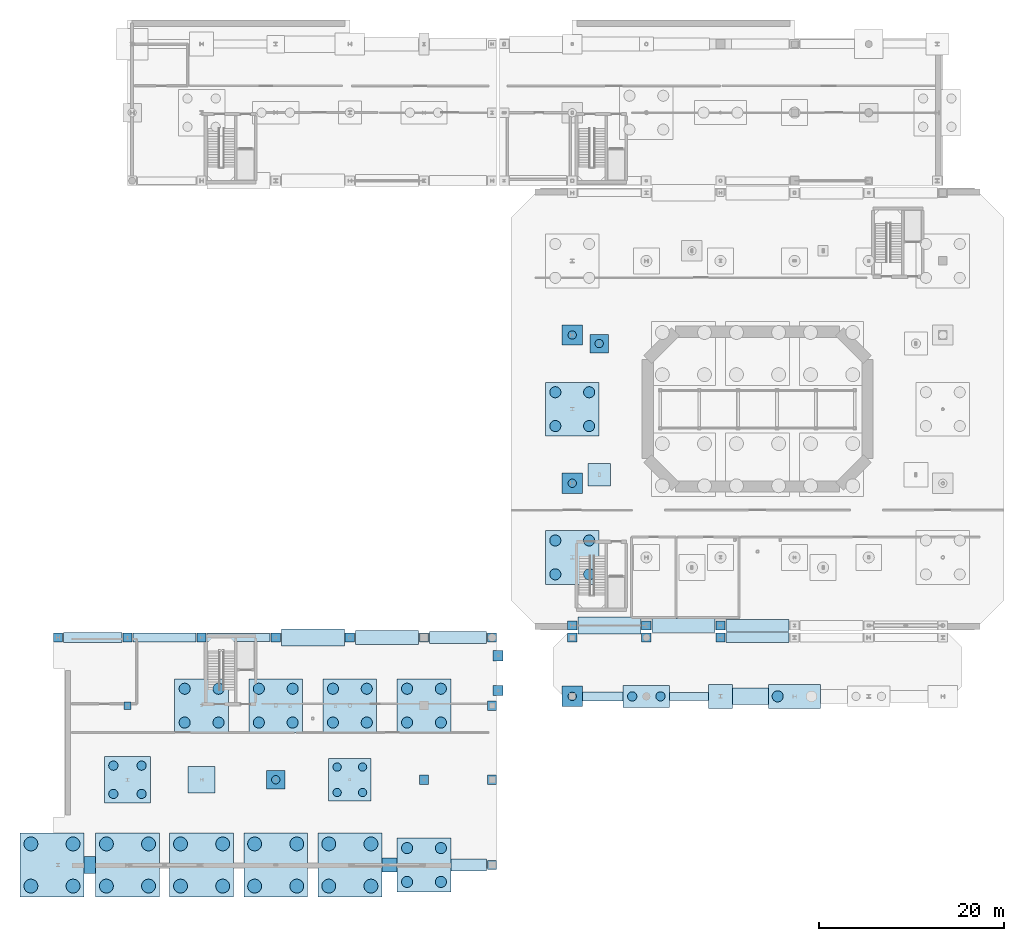
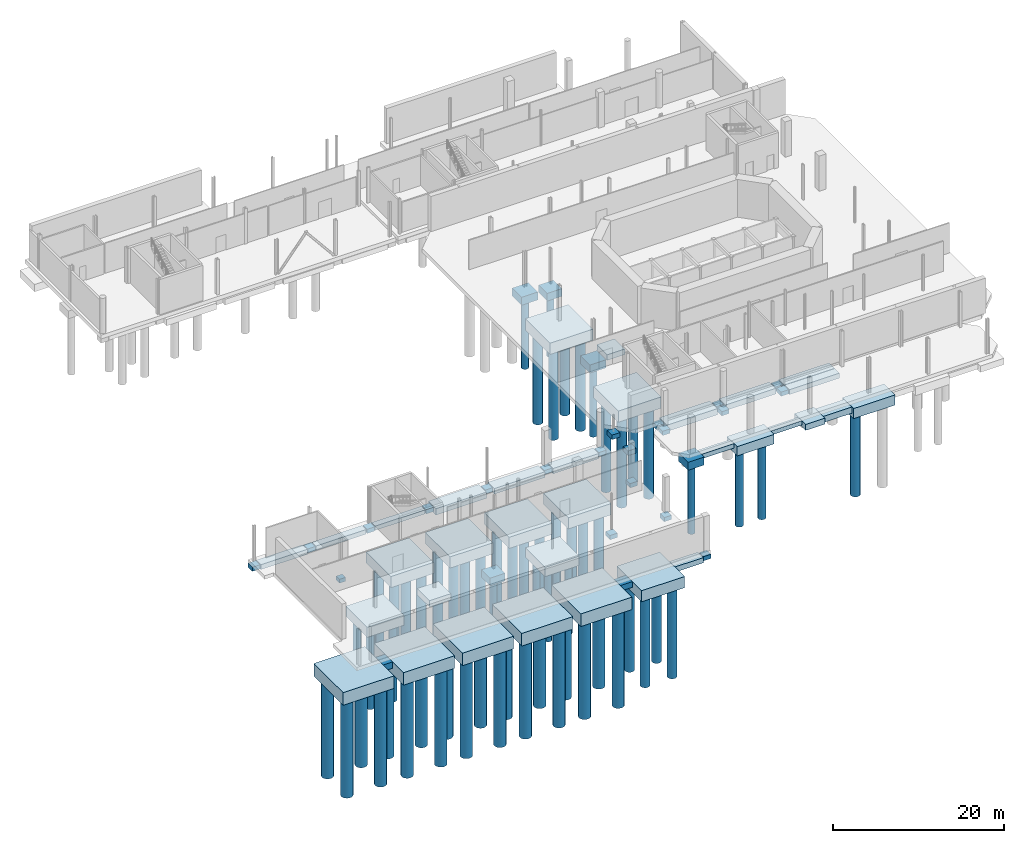
# One storey, part 1 of 33: 64 piles, 60 footings.
"""IFC4 building model written with IfcOpenShell, lengths in metres."""

from ifc_helpers import new_model, si_unit, direction, frame, origin, origin_2d, place, context, subcontext, project, spatial, rectangle, circle, extrude, material, material_profile, profile_set, type_object, element, save


model = new_model("IFC4")

# Units and contexts
model_context = context("Model", 3, precision=1e-05, world=origin(), true_north=direction((0.0, 1.0)))
body_context = subcontext(model_context, "Body", "Model", "MODEL_VIEW")
ifc_project = project(units=[si_unit("LENGTHUNIT", "METRE"), si_unit("AREAUNIT", "SQUARE_METRE"), si_unit("VOLUMEUNIT", "CUBIC_METRE"), si_unit("PLANEANGLEUNIT", "RADIAN"), si_unit("MASSUNIT", "GRAM", prefix="KILO")], contexts=[model_context])

# Site, building, storey
site_placement = place(None, origin())
site = spatial("IfcSite", under=ifc_project, at=site_placement, CompositionType="ELEMENT")
building_placement = place(site_placement, origin())
building = spatial("IfcBuilding", under=site, at=building_placement, Name="Brisemont Oceanarium", CompositionType="ELEMENT")
storey_placement = place(building_placement, frame((0.0, 0.0, -5.39990234375)))
storey = spatial("IfcBuildingStorey", under=building, at=storey_placement, Name="B01", CompositionType="ELEMENT", Elevation=-5.39990234375)

# Footings
ifc_material_1 = material(Name="Concrete C40/50", Category="concrete")
footing_type_1 = type_object("IfcFootingType", Name="FTG-PAD-1000", PredefinedType="PAD_FOOTING", material=ifc_material_1)
for number, where, z_axis, x_axis, name in (
    (1, (64.0, 32.64990234375, -1.150146484375), (0.0, 0.0, 1.0), (1.0, 0.0, 0.0), "PF-15 spread footing at (64.0,32.6)"),
    (2, (72.0, 32.64990234375, -1.150146484375), (0.0, 0.0, 1.0), (1.0, 0.0, 0.0), "PF-15 spread footing at (72.0,32.6)"),
    (3, (80.0, 32.64990234375, -1.150146484375), (0.0, 0.0, 1.0), (1.0, 0.0, 0.0), "PF-15 spread footing at (80.0,32.6)"),
    (4, (64.0, 31.35009765625, -1.10009765625), (0.0, 0.0, 1.0), (1.0, 0.0, 0.0), "PF-15 spread footing at (64.0,31.4)"),
    (5, (72.0, 31.35009765625, -1.10009765625), (0.0, 0.0, 1.0), (1.0, 0.0, 0.0), "PF-15 spread footing at (72.0,31.4)"),
    (6, (80.0, 31.35009765625, -1.10009765625), (0.0, 0.0, 1.0), (1.0, 0.0, 0.0), "PF-15 spread footing at (80.0,31.4)"),
    (7, (8.5, 31.35009765625, -1.10009765625), (0.0, 0.0, 1.0), (1.0, 0.0, 0.0), "PF-15 spread footing at (8.5,31.4)"),
    (8, (16.0, 31.35009765625, -1.10009765625), (0.0, 0.0, 1.0), (1.0, 0.0, 0.0), "PF-15 spread footing at (16.0,31.4)"),
    (9, (24.0, 31.35009765625, -1.10009765625), (0.0, 0.0, 1.0), (1.0, 0.0, 0.0), "PF-15 spread footing at (24.0,31.4)"),
    (10, (32.0, 31.35009765625, -1.10009765625), (0.0, 0.0, 1.0), (1.0, 0.0, 0.0), "PF-15 spread footing at (32.0,31.4)"),
    (11, (40.0, 31.35009765625, -1.10009765625), (0.0, 0.0, 1.0), (1.0, 0.0, 0.0), "PF-15 spread footing at (40.0,31.4)"),
    (12, (48.0, 16.0, -1.10009765625), (0.0, 0.0, 1.0), (1.0, 0.0, 0.0), "PF-15 spread footing at (48.0,16.0)"),
    (13, (48.0, 31.35009765625, -1.10009765625), (0.0, 0.0, 1.0), (1.0, 0.0, 0.0), "PF-15 spread footing at (48.0,31.4)"),
    (14, (55.35009765625, 6.800048828125, -1.10009765625), (0.0, 0.0, 1.0), (1.0, 0.0, 0.0), "PF-15 spread footing at (55.4,6.8)"),
    (15, (55.35009765625, 16.0, -1.10009765625), (0.0, 0.0, 1.0), (1.0, 0.0, 0.0), "PF-15 spread footing at (55.4,16.0)"),
    (16, (55.35009765625, 24.0, -1.10009765625), (0.0, 0.0, 1.0), (1.0, 0.0, 0.0), "PF-15 spread footing at (55.4,24.0)"),
    (17, (55.35009765625, 31.35009765625, -1.10009765625), (0.0, 0.0, 1.0), (1.0, 0.0, 0.0), "PF-15 spread footing at (55.4,31.4)"),
):
    element("IfcFooting", number, at=place(storey_placement, frame(where, z_axis=z_axis, x_axis=x_axis)), inside=storey, type_object=footing_type_1, Name=name, PredefinedType="PAD_FOOTING", context=body_context, shape_type="SweptSolid", body=[
        extrude(rectangle(XDim=1.0, YDim=1.0, at=origin_2d()), origin(), (0.0, 0.0, 1.0), 0.60009765625),
    ])
ifc_material_2 = material(Name="Concrete C40/50", Category="concrete")
footing_type_2 = type_object("IfcFootingType", Name="FTG-PAD-1100", PredefinedType="PAD_FOOTING", material=ifc_material_2)
for number, where, z_axis, x_axis, name in (
    (18, (56.0, 25.6201171875, 2.349853515625), (0.0, 0.0, 1.0), (1.0, 0.0, 0.0), "PF-14 spread footing at (56.0,25.6)"),
    (19, (56.0, 29.3798828125, 2.349853515625), (0.0, 0.0, 1.0), (1.0, 0.0, 0.0), "PF-14 spread footing at (56.0,29.4)"),
):
    element("IfcFooting", number, at=place(storey_placement, frame(where, z_axis=z_axis, x_axis=x_axis)), inside=storey, type_object=footing_type_2, Name=name, PredefinedType="PAD_FOOTING", context=body_context, shape_type="SweptSolid", body=[
        extrude(rectangle(XDim=1.10009765625, YDim=1.10009765625, at=origin_2d()), origin(), (0.0, 0.0, 1.0), 0.64990234375),
    ])
ifc_material_3 = material(Name="Concrete C40/50", Category="concrete")
footing_type_3 = type_object("IfcFootingType", Name="FTG-PAD-2400", PredefinedType="PAD_FOOTING", material=ifc_material_3)
footing_1_placement = place(storey_placement, frame((66.908203125, 48.92041015625, -1.35009765625), z_axis=(0.0, 0.0, 1.0), x_axis=(1.0, 0.0, 0.0)))
element("IfcFooting", 20, at=footing_1_placement, inside=storey, type_object=footing_type_3, Name="PF-05 spread footing at (66.9,48.9)", PredefinedType="PAD_FOOTING", context=body_context, shape_type="SweptSolid", body=[
    extrude(rectangle(XDim=2.39990234375, YDim=2.39990234375, at=origin_2d()), origin(), (0.0, 0.0, 1.0), 0.800048828125),
])
ifc_material_4 = material(Name="Concrete C40/50", Category="concrete")
footing_type_4 = type_object("IfcFootingType", Name="FTG-PAD-2600", PredefinedType="PAD_FOOTING", material=ifc_material_4)
footing_2_placement = place(storey_placement, frame((80.0, 25.0, -1.35009765625), z_axis=(0.0, 0.0, 1.0), x_axis=(1.0, 0.0, 0.0)))
element("IfcFooting", 21, at=footing_2_placement, inside=storey, type_object=footing_type_4, Name="PF-04 spread footing at (80.0,25.0)", PredefinedType="PAD_FOOTING", context=body_context, shape_type="SweptSolid", body=[
    extrude(rectangle(XDim=2.60009765625, YDim=2.60009765625, at=origin_2d()), origin(), (0.0, 0.0, 1.0), 0.85009765625),
])
ifc_material_5 = material(Name="Concrete C40/50", Category="concrete")
footing_type_5 = type_object("IfcFootingType", Name="FTG-PAD-2900", PredefinedType="PAD_FOOTING", material=ifc_material_5)
footing_3_placement = place(storey_placement, frame((24.0, 16.0, -1.400146484375), z_axis=(0.0, 0.0, 1.0), x_axis=(1.0, 0.0, 0.0)))
element("IfcFooting", 22, at=footing_3_placement, inside=storey, type_object=footing_type_5, Name="PF-03 spread footing at (24.0,16.0)", PredefinedType="PAD_FOOTING", context=body_context, shape_type="SweptSolid", body=[
    extrude(rectangle(XDim=2.89990234375, YDim=2.89990234375, at=origin_2d()), origin(), (0.0, 0.0, 1.0), 0.89990234375),
])
ifc_material_6 = material(Name="Concrete C40/50", Category="concrete")
footing_type_6 = type_object("IfcFootingType", Name="FTG-PAD-800", PredefinedType="PAD_FOOTING", material=ifc_material_6)
footing_4_placement = place(storey_placement, frame((16.0, 24.0, -1.05029296875), z_axis=(0.0, 0.0, 1.0), x_axis=(1.0, 0.0, 0.0)))
element("IfcFooting", 23, at=footing_4_placement, inside=storey, type_object=footing_type_6, Name="PF-16 spread footing at (16.0,24.0)", PredefinedType="PAD_FOOTING", context=body_context, shape_type="SweptSolid", body=[
    extrude(rectangle(XDim=0.800048828125, YDim=0.800048828125, at=origin_2d()), origin(), (0.0, 0.0, 1.0), 0.550048828125),
])
ifc_material_7 = material(Name="Concrete C40/50", Category="concrete")
footing_type_7 = type_object("IfcFootingType", Name="FTG-PC-1P-2000", PredefinedType="PILE_CAP", material=ifc_material_7)
for number, where, z_axis, x_axis, name in (
    (24, (32.0, 16.0, -1.60009765625), (0.0, 0.0, 1.0), (1.0, 0.0, 0.0), "PC-11 pile cap at (32.0,16.0)"),
    (25, (66.908203125, 63.07958984375, -1.650146484375), (0.0, 0.0, 1.0), (1.0, 0.0, 0.0), "PC-11 pile cap at (66.9,63.1)"),
):
    element("IfcFooting", number, at=place(storey_placement, frame(where, z_axis=z_axis, x_axis=x_axis)), inside=storey, type_object=footing_type_7, Name=name, PredefinedType="PILE_CAP", context=body_context, shape_type="SweptSolid", body=[
        extrude(rectangle(XDim=2.0, YDim=2.0, at=origin_2d()), origin(), (0.0, 0.0, 1.0), 1.10009765625),
    ])
ifc_material_8 = material(Name="Concrete C40/50", Category="concrete")
footing_type_8 = type_object("IfcFootingType", Name="FTG-PC-1P-2200", PredefinedType="PILE_CAP", material=ifc_material_8)
for number, where, z_axis, x_axis, name in (
    (26, (64.0, 48.0, -1.699951171875), (0.0, 0.0, 1.0), (1.0, 0.0, 0.0), "PC-10 pile cap at (64.0,48.0)"),
    (27, (64.0, 64.0, -1.699951171875), (0.0, 0.0, 1.0), (1.0, 0.0, 0.0), "PC-10 pile cap at (64.0,64.0)"),
    (28, (64.0, 25.0, -1.650146484375), (0.0, 0.0, 1.0), (1.0, 0.0, 0.0), "PC-10 pile cap at (64.0,25.0)"),
):
    element("IfcFooting", number, at=place(storey_placement, frame(where, z_axis=z_axis, x_axis=x_axis)), inside=storey, type_object=footing_type_8, Name=name, PredefinedType="PILE_CAP", context=body_context, shape_type="SweptSolid", body=[
        extrude(rectangle(XDim=2.199951171875, YDim=2.199951171875, at=origin_2d()), origin(), (0.0, 0.0, 1.0), 1.14990234375),
    ])
ifc_material_9 = material(Name="Concrete C40/50", Category="concrete")
footing_type_9 = type_object("IfcFootingType", Name="FTG-PC-2P-5000", PredefinedType="PILE_CAP", material=ifc_material_9)
footing_5_placement = place(storey_placement, frame((72.0, 25.0, -1.85009765625), z_axis=(0.0, 0.0, 1.0), x_axis=(1.0, 0.0, 0.0)))
element("IfcFooting", 29, at=footing_5_placement, inside=storey, type_object=footing_type_9, Name="PC-06 pile cap at (72.0,25.0)", PredefinedType="PILE_CAP", context=body_context, shape_type="SweptSolid", body=[
    extrude(rectangle(XDim=5.0, YDim=2.39990234375, at=origin_2d()), origin(), (0.0, 0.0, 1.0), 1.35009765625),
])
ifc_material_10 = material(Name="Concrete C40/50", Category="concrete")
footing_type_10 = type_object("IfcFootingType", Name="FTG-PC-2P-5600", PredefinedType="PILE_CAP", material=ifc_material_10)
footing_6_placement = place(storey_placement, frame((88.0, 25.0, -1.9501953125), z_axis=(0.0, 0.0, 1.0), x_axis=(1.0, 0.0, 0.0)))
element("IfcFooting", 30, at=footing_6_placement, inside=storey, type_object=footing_type_10, Name="PC-05 pile cap at (88.0,25.0)", PredefinedType="PILE_CAP", context=body_context, shape_type="SweptSolid", body=[
    extrude(rectangle(XDim=5.60009765625, YDim=2.60009765625, at=origin_2d()), origin(), (0.0, 0.0, 1.0), 1.449951171875),
])
ifc_material_11 = material(Name="Concrete C40/50", Category="concrete")
footing_type_11 = type_object("IfcFootingType", Name="FTG-PC-4P-4600", PredefinedType="PILE_CAP", material=ifc_material_11)
footing_7_placement = place(storey_placement, frame((40.0, 16.0, -1.85009765625), z_axis=(0.0, 0.0, 1.0), x_axis=(1.0, 0.0, 0.0)))
element("IfcFooting", 31, at=footing_7_placement, inside=storey, type_object=footing_type_11, Name="PC-04 pile cap at (40.0,16.0)", PredefinedType="PILE_CAP", context=body_context, shape_type="SweptSolid", body=[
    extrude(rectangle(XDim=4.60009765625, YDim=4.60009765625, at=origin_2d()), origin(), (0.0, 0.0, 1.0), 1.35009765625),
])
ifc_material_12 = material(Name="Concrete C40/50", Category="concrete")
footing_type_12 = type_object("IfcFootingType", Name="FTG-PC-4P-5000", PredefinedType="PILE_CAP", material=ifc_material_12)
footing_8_placement = place(storey_placement, frame((16.0, 16.0, -1.9501953125), z_axis=(0.0, 0.0, 1.0), x_axis=(1.0, 0.0, 0.0)))
element("IfcFooting", 32, at=footing_8_placement, inside=storey, type_object=footing_type_12, Name="PC-03 pile cap at (16.0,16.0)", PredefinedType="PILE_CAP", context=body_context, shape_type="SweptSolid", body=[
    extrude(rectangle(XDim=5.0, YDim=5.0, at=origin_2d()), origin(), (0.0, 0.0, 1.0), 1.449951171875),
])
ifc_material_13 = material(Name="Concrete C40/50", Category="concrete")
footing_type_13 = type_object("IfcFootingType", Name="FTG-PC-4P-5800", PredefinedType="PILE_CAP", material=ifc_material_13)
for number, where, z_axis, x_axis, name in (
    (33, (64.0, 40.0, -2.150146484375), (0.0, 0.0, 1.0), (1.0, 0.0, 0.0), "PC-02 pile cap at (64.0,40.0)"),
    (34, (64.0, 56.0, -2.150146484375), (0.0, 0.0, 1.0), (1.0, 0.0, 0.0), "PC-02 pile cap at (64.0,56.0)"),
    (35, (24.0, 24.0, -2.10009765625), (0.0, 0.0, 1.0), (1.0, 0.0, 0.0), "PC-02 pile cap at (24.0,24.0)"),
    (36, (32.0, 24.0, -2.10009765625), (0.0, 0.0, 1.0), (1.0, 0.0, 0.0), "PC-02 pile cap at (32.0,24.0)"),
    (37, (40.0, 24.0, -2.10009765625), (0.0, 0.0, 1.0), (1.0, 0.0, 0.0), "PC-02 pile cap at (40.0,24.0)"),
    (38, (48.0, 6.800048828125, -2.10009765625), (0.0, 0.0, 1.0), (1.0, 0.0, 0.0), "PC-02 pile cap at (48.0,6.8)"),
    (39, (48.0, 24.0, -2.10009765625), (0.0, 0.0, 1.0), (1.0, 0.0, 0.0), "PC-02 pile cap at (48.0,24.0)"),
):
    element("IfcFooting", number, at=place(storey_placement, frame(where, z_axis=z_axis, x_axis=x_axis)), inside=storey, type_object=footing_type_13, Name=name, PredefinedType="PILE_CAP", context=body_context, shape_type="SweptSolid", body=[
        extrude(rectangle(XDim=5.800048828125, YDim=5.800048828125, at=origin_2d()), origin(), (0.0, 0.0, 1.0), 1.60009765625),
    ])
ifc_material_14 = material(Name="Concrete C40/50", Category="concrete")
footing_type_14 = type_object("IfcFootingType", Name="FTG-PC-4P-6900", PredefinedType="PILE_CAP", material=ifc_material_14)
for number, where, z_axis, x_axis, name in (
    (40, (7.85009765625, 6.800048828125, -2.30029296875), (0.0, 0.0, 1.0), (1.0, 0.0, 0.0), "PC-01 pile cap at (7.8,6.8)"),
    (41, (16.0, 6.800048828125, -2.30029296875), (0.0, 0.0, 1.0), (1.0, 0.0, 0.0), "PC-01 pile cap at (16.0,6.8)"),
    (42, (24.0, 6.800048828125, -2.30029296875), (0.0, 0.0, 1.0), (1.0, 0.0, 0.0), "PC-01 pile cap at (24.0,6.8)"),
    (43, (32.0, 6.800048828125, -2.30029296875), (0.0, 0.0, 1.0), (1.0, 0.0, 0.0), "PC-01 pile cap at (32.0,6.8)"),
    (44, (40.0, 6.800048828125, -2.30029296875), (0.0, 0.0, 1.0), (1.0, 0.0, 0.0), "PC-01 pile cap at (40.0,6.8)"),
):
    element("IfcFooting", number, at=place(storey_placement, frame(where, z_axis=z_axis, x_axis=x_axis)), inside=storey, type_object=footing_type_14, Name=name, PredefinedType="PILE_CAP", context=body_context, shape_type="SweptSolid", body=[
        extrude(rectangle(XDim=6.89990234375, YDim=6.89990234375, at=origin_2d()), origin(), (0.0, 0.0, 1.0), 1.800048828125),
    ])
ifc_material_15 = material(Name="Concrete C40/50", Category="concrete")
footing_type_15 = type_object("IfcFootingType", Name="FTG-SF-1100X700", PredefinedType="STRIP_FOOTING", material=ifc_material_15)
footing_9_placement = place(storey_placement, frame((84.0, 31.35009765625, -1.2001953125), z_axis=(0.0, 0.0, 1.0), x_axis=(1.0, 0.0, 0.0)))
element("IfcFooting", 45, at=footing_9_placement, inside=storey, type_object=footing_type_15, Name="SF-04 continuous strip footing", PredefinedType="STRIP_FOOTING", context=body_context, shape_type="SweptSolid", body=[
    extrude(rectangle(XDim=6.800048828125, YDim=1.10009765625, at=origin_2d()), origin(), (0.0, 0.0, 1.0), 0.699951171875),
])
footing_10_placement = place(storey_placement, frame((12.25, 31.35009765625, -1.2001953125), z_axis=(0.0, 0.0, 1.0), x_axis=(1.0, 0.0, 0.0)))
element("IfcFooting", 46, at=footing_10_placement, inside=storey, type_object=footing_type_15, Name="SF-04 continuous strip footing", PredefinedType="STRIP_FOOTING", context=body_context, shape_type="SweptSolid", body=[
    extrude(rectangle(XDim=6.300048828125, YDim=1.10009765625, at=origin_2d()), origin(), (0.0, 0.0, 1.0), 0.699951171875),
])
ifc_material_16 = material(Name="Concrete C40/50", Category="concrete")
footing_type_16 = type_object("IfcFootingType", Name="FTG-SF-1300X750", PredefinedType="STRIP_FOOTING", material=ifc_material_16)
footing_11_placement = place(storey_placement, frame((84.0, 32.64990234375, -1.300048828125), z_axis=(0.0, 0.0, 1.0), x_axis=(1.0, 0.0, 0.0)))
element("IfcFooting", 47, at=footing_11_placement, inside=storey, type_object=footing_type_16, Name="SF-03 continuous strip footing", PredefinedType="STRIP_FOOTING", context=body_context, shape_type="SweptSolid", body=[
    extrude(rectangle(XDim=6.800048828125, YDim=1.300048828125, at=origin_2d()), origin(), (0.0, 0.0, 1.0), 0.75),
])
footing_12_placement = place(storey_placement, frame((52.824951171875, 6.800048828125, -1.25), z_axis=(0.0, 0.0, 1.0), x_axis=(1.0, 0.0, 0.0)))
element("IfcFooting", 48, at=footing_12_placement, inside=storey, type_object=footing_type_16, Name="SF-03 continuous strip footing", PredefinedType="STRIP_FOOTING", context=body_context, shape_type="SweptSolid", body=[
    extrude(rectangle(XDim=3.85009765625, YDim=1.300048828125, at=origin_2d()), origin(), (0.0, 0.0, 1.0), 0.75),
])
footing_13_placement = place(storey_placement, frame((51.675048828125, 31.35009765625, -1.25), z_axis=(0.0, 0.0, 1.0), x_axis=(1.0, 0.0, 0.0)))
element("IfcFooting", 49, at=footing_13_placement, inside=storey, type_object=footing_type_16, Name="SF-03 continuous strip footing", PredefinedType="STRIP_FOOTING", context=body_context, shape_type="SweptSolid", body=[
    extrude(rectangle(XDim=6.14990234375, YDim=1.300048828125, at=origin_2d()), origin(), (0.0, 0.0, 1.0), 0.75),
])
ifc_material_17 = material(Name="Concrete C40/50", Category="concrete")
footing_type_17 = type_object("IfcFootingType", Name="FTG-SF-1500X800", PredefinedType="STRIP_FOOTING", material=ifc_material_17)
footing_14_placement = place(storey_placement, frame((76.0, 32.64990234375, -1.35009765625), z_axis=(0.0, 0.0, 1.0), x_axis=(1.0, 0.0, 0.0)))
element("IfcFooting", 50, at=footing_14_placement, inside=storey, type_object=footing_type_17, Name="SF-02 continuous strip footing", PredefinedType="STRIP_FOOTING", context=body_context, shape_type="SweptSolid", body=[
    extrude(rectangle(XDim=6.800048828125, YDim=1.5, at=origin_2d()), origin(), (0.0, 0.0, 1.0), 0.800048828125),
])
footing_15_placement = place(storey_placement, frame((44.27490234375, 6.800048828125, -1.30029296875), z_axis=(0.0, 0.0, 1.0), x_axis=(1.0, 0.0, 0.0)))
element("IfcFooting", 51, at=footing_15_placement, inside=storey, type_object=footing_type_17, Name="SF-02 continuous strip footing", PredefinedType="STRIP_FOOTING", context=body_context, shape_type="SweptSolid", body=[
    extrude(rectangle(XDim=1.64990234375, YDim=1.5, at=origin_2d()), origin(), (0.0, 0.0, 1.0), 0.800048828125),
])
footing_16_placement = place(storey_placement, frame((44.0, 31.35009765625, -1.30029296875), z_axis=(0.0, 0.0, 1.0), x_axis=(1.0, 0.0, 0.0)))
element("IfcFooting", 52, at=footing_16_placement, inside=storey, type_object=footing_type_17, Name="SF-02 continuous strip footing", PredefinedType="STRIP_FOOTING", context=body_context, shape_type="SweptSolid", body=[
    extrude(rectangle(XDim=6.800048828125, YDim=1.5, at=origin_2d()), origin(), (0.0, 0.0, 1.0), 0.800048828125),
])
ifc_material_18 = material(Name="Concrete C40/50", Category="concrete")
footing_type_18 = type_object("IfcFootingType", Name="FTG-SF-1800X900", PredefinedType="STRIP_FOOTING", material=ifc_material_18)
footing_17_placement = place(storey_placement, frame((68.0, 32.64990234375, -1.449951171875), z_axis=(0.0, 0.0, 1.0), x_axis=(1.0, 0.0, 0.0)))
element("IfcFooting", 53, at=footing_17_placement, inside=storey, type_object=footing_type_18, Name="SF-01 continuous strip footing", PredefinedType="STRIP_FOOTING", context=body_context, shape_type="SweptSolid", body=[
    extrude(rectangle(XDim=6.800048828125, YDim=1.800048828125, at=origin_2d()), origin(), (0.0, 0.0, 1.0), 0.89990234375),
])
footing_18_placement = place(storey_placement, frame((83.25, 25.0, -1.400146484375), z_axis=(0.0, 0.0, 1.0), x_axis=(1.0, 0.0, 0.0)))
element("IfcFooting", 54, at=footing_18_placement, inside=storey, type_object=footing_type_18, Name="SF-01 continuous strip footing", PredefinedType="STRIP_FOOTING", context=body_context, shape_type="SweptSolid", body=[
    extrude(rectangle(XDim=3.89990234375, YDim=1.800048828125, at=origin_2d()), origin(), (0.0, 0.0, 1.0), 0.89990234375),
])
footing_19_placement = place(storey_placement, frame((11.925048828125, 6.800048828125, -1.400146484375), z_axis=(0.0, 0.0, 1.0), x_axis=(1.0, 0.0, 0.0)))
element("IfcFooting", 55, at=footing_19_placement, inside=storey, type_object=footing_type_18, Name="SF-01 continuous strip footing", PredefinedType="STRIP_FOOTING", context=body_context, shape_type="SweptSolid", body=[
    extrude(rectangle(XDim=1.25, YDim=1.800048828125, at=origin_2d()), origin(), (0.0, 0.0, 1.0), 0.89990234375),
])
footing_20_placement = place(storey_placement, frame((36.0, 31.35009765625, -1.400146484375), z_axis=(0.0, 0.0, 1.0), x_axis=(1.0, 0.0, 0.0)))
element("IfcFooting", 56, at=footing_20_placement, inside=storey, type_object=footing_type_18, Name="SF-01 continuous strip footing", PredefinedType="STRIP_FOOTING", context=body_context, shape_type="SweptSolid", body=[
    extrude(rectangle(XDim=6.800048828125, YDim=1.800048828125, at=origin_2d()), origin(), (0.0, 0.0, 1.0), 0.89990234375),
])
ifc_material_19 = material(Name="Concrete C40/50", Category="concrete")
footing_type_19 = type_object("IfcFootingType", Name="FTG-SF-850X600", PredefinedType="STRIP_FOOTING", material=ifc_material_19)
footing_21_placement = place(storey_placement, frame((76.60009765625, 25.0, -1.10009765625), z_axis=(0.0, 0.0, 1.0), x_axis=(1.0, 0.0, 0.0)))
element("IfcFooting", 57, at=footing_21_placement, inside=storey, type_object=footing_type_19, Name="SF-06 continuous strip footing", PredefinedType="STRIP_FOOTING", context=body_context, shape_type="SweptSolid", body=[
    extrude(rectangle(XDim=4.199951171875, YDim=0.85009765625, at=origin_2d()), origin(), (0.0, 0.0, 1.0), 0.60009765625),
])
footing_22_placement = place(storey_placement, frame((28.0, 31.35009765625, -1.10009765625), z_axis=(0.0, 0.0, 1.0), x_axis=(1.0, 0.0, 0.0)))
element("IfcFooting", 58, at=footing_22_placement, inside=storey, type_object=footing_type_19, Name="SF-06 continuous strip footing", PredefinedType="STRIP_FOOTING", context=body_context, shape_type="SweptSolid", body=[
    extrude(rectangle(XDim=6.800048828125, YDim=0.85009765625, at=origin_2d()), origin(), (0.0, 0.0, 1.0), 0.60009765625),
])
ifc_material_20 = material(Name="Concrete C40/50", Category="concrete")
footing_type_20 = type_object("IfcFootingType", Name="FTG-SF-950X650", PredefinedType="STRIP_FOOTING", material=ifc_material_20)
footing_23_placement = place(storey_placement, frame((67.300048828125, 25.0, -1.150146484375), z_axis=(0.0, 0.0, 1.0), x_axis=(1.0, 0.0, 0.0)))
element("IfcFooting", 59, at=footing_23_placement, inside=storey, type_object=footing_type_20, Name="SF-05 continuous strip footing", PredefinedType="STRIP_FOOTING", context=body_context, shape_type="SweptSolid", body=[
    extrude(rectangle(XDim=4.39990234375, YDim=0.949951171875, at=origin_2d()), origin(), (0.0, 0.0, 1.0), 0.64990234375),
])
footing_24_placement = place(storey_placement, frame((20.0, 31.35009765625, -1.150146484375), z_axis=(0.0, 0.0, 1.0), x_axis=(1.0, 0.0, 0.0)))
element("IfcFooting", 60, at=footing_24_placement, inside=storey, type_object=footing_type_20, Name="SF-05 continuous strip footing", PredefinedType="STRIP_FOOTING", context=body_context, shape_type="SweptSolid", body=[
    extrude(rectangle(XDim=6.800048828125, YDim=0.949951171875, at=origin_2d()), origin(), (0.0, 0.0, 1.0), 0.64990234375),
])

# Piles
ifc_material_21 = material(Name="Concrete C40/50", Category="concrete")
ifc_material_profile_1 = material_profile(ifc_material_21, circle(Radius=0.5, at=origin_2d()), Name="CIDH-D1000")
ifc_profile_set_1 = profile_set([ifc_material_profile_1], Name="Concrete C40/50")
pile_type_1 = type_object("IfcPileType", Name="PIL-CIDH-1000-11", PredefinedType="BORED", material=ifc_profile_set_1)
for number, where, z_axis, x_axis, name in (
    (61, (70.47509765625, 25.0, -1.75), (0.0, 0.0, -1.0), (1.0, 0.0, 0.0), "P-04 rock-socketed shaft 1"),
    (62, (73.52490234375, 25.0, -1.75), (0.0, 0.0, -1.0), (1.0, 0.0, 0.0), "P-04 rock-socketed shaft 2"),
    (63, (14.47509765625, 14.47509765625, -1.85009765625), (0.0, 0.0, -1.0), (1.0, 0.0, 0.0), "P-04 rock-socketed shaft 1"),
    (64, (17.52490234375, 14.47509765625, -1.85009765625), (0.0, 0.0, -1.0), (1.0, 0.0, 0.0), "P-04 rock-socketed shaft 2"),
    (65, (14.47509765625, 17.52490234375, -1.85009765625), (0.0, 0.0, -1.0), (1.0, 0.0, 0.0), "P-04 rock-socketed shaft 3"),
    (66, (17.52490234375, 17.52490234375, -1.85009765625), (0.0, 0.0, -1.0), (1.0, 0.0, 0.0), "P-04 rock-socketed shaft 4"),
):
    element("IfcPile", number, at=place(storey_placement, frame(where, z_axis=z_axis, x_axis=x_axis)), inside=storey, type_object=pile_type_1, Name=name, PredefinedType="BORED", context=body_context, shape_type="SweptSolid", body=[
        extrude(circle(Radius=0.5, at=origin_2d()), origin(), (0.0, 0.0, 1.0), 11.0),
    ])
ifc_material_22 = material(Name="Concrete C40/50", Category="concrete")
ifc_material_profile_2 = material_profile(ifc_material_22, circle(Radius=0.60009765625, at=origin_2d()), Name="CIDH-D1200")
ifc_profile_set_2 = profile_set([ifc_material_profile_2], Name="Concrete C40/50")
pile_type_2 = type_object("IfcPileType", Name="PIL-CIDH-1200-12", PredefinedType="BORED", material=ifc_profile_set_2)
pile_placement = place(storey_placement, frame((86.175048828125, 25.0, -1.85009765625), z_axis=(0.0, 0.0, -1.0), x_axis=(1.0, 0.0, 0.0)))
element("IfcPile", 67, at=pile_placement, inside=storey, type_object=pile_type_2, Name="P-03 rock-socketed shaft 1", PredefinedType="BORED", context=body_context, shape_type="SweptSolid", body=[
    extrude(circle(Radius=0.60009765625, at=origin_2d()), origin(), (0.0, 0.0, 1.0), 12.0),
])
ifc_material_23 = material(Name="Concrete C40/50", Category="concrete")
ifc_material_profile_3 = material_profile(ifc_material_23, circle(Radius=0.60009765625, at=origin_2d()), Name="CIDH-D1200")
ifc_profile_set_3 = profile_set([ifc_material_profile_3], Name="Concrete C40/50")
pile_type_3 = type_object("IfcPileType", Name="PIL-CIDH-1200-13", PredefinedType="BORED", material=ifc_profile_set_3)
for number, where, z_axis, x_axis, name in (
    (68, (62.175048828125, 38.175048828125, -2.050048828125), (0.0, 0.0, -1.0), (1.0, 0.0, 0.0), "P-02 rock-socketed shaft 1"),
    (69, (65.824951171875, 38.175048828125, -2.050048828125), (0.0, 0.0, -1.0), (1.0, 0.0, 0.0), "P-02 rock-socketed shaft 2"),
    (70, (62.175048828125, 41.824951171875, -2.050048828125), (0.0, 0.0, -1.0), (1.0, 0.0, 0.0), "P-02 rock-socketed shaft 3"),
    (71, (65.824951171875, 41.824951171875, -2.050048828125), (0.0, 0.0, -1.0), (1.0, 0.0, 0.0), "P-02 rock-socketed shaft 4"),
    (72, (62.175048828125, 54.175048828125, -2.050048828125), (0.0, 0.0, -1.0), (1.0, 0.0, 0.0), "P-02 rock-socketed shaft 1"),
    (73, (65.824951171875, 54.175048828125, -2.050048828125), (0.0, 0.0, -1.0), (1.0, 0.0, 0.0), "P-02 rock-socketed shaft 2"),
    (74, (62.175048828125, 57.824951171875, -2.050048828125), (0.0, 0.0, -1.0), (1.0, 0.0, 0.0), "P-02 rock-socketed shaft 3"),
    (75, (65.824951171875, 57.824951171875, -2.050048828125), (0.0, 0.0, -1.0), (1.0, 0.0, 0.0), "P-02 rock-socketed shaft 4"),
    (76, (22.175048828125, 22.175048828125, -2.0), (0.0, 0.0, -1.0), (1.0, 0.0, 0.0), "P-02 rock-socketed shaft 1"),
    (77, (25.824951171875, 22.175048828125, -2.0), (0.0, 0.0, -1.0), (1.0, 0.0, 0.0), "P-02 rock-socketed shaft 2"),
    (78, (22.175048828125, 25.824951171875, -2.0), (0.0, 0.0, -1.0), (1.0, 0.0, 0.0), "P-02 rock-socketed shaft 3"),
    (79, (25.824951171875, 25.824951171875, -2.0), (0.0, 0.0, -1.0), (1.0, 0.0, 0.0), "P-02 rock-socketed shaft 4"),
    (80, (30.175048828125, 22.175048828125, -2.0), (0.0, 0.0, -1.0), (1.0, 0.0, 0.0), "P-02 rock-socketed shaft 1"),
    (81, (33.824951171875, 22.175048828125, -2.0), (0.0, 0.0, -1.0), (1.0, 0.0, 0.0), "P-02 rock-socketed shaft 2"),
    (82, (30.175048828125, 25.824951171875, -2.0), (0.0, 0.0, -1.0), (1.0, 0.0, 0.0), "P-02 rock-socketed shaft 3"),
    (83, (33.824951171875, 25.824951171875, -2.0), (0.0, 0.0, -1.0), (1.0, 0.0, 0.0), "P-02 rock-socketed shaft 4"),
    (84, (38.175048828125, 22.175048828125, -2.0), (0.0, 0.0, -1.0), (1.0, 0.0, 0.0), "P-02 rock-socketed shaft 1"),
    (85, (41.824951171875, 22.175048828125, -2.0), (0.0, 0.0, -1.0), (1.0, 0.0, 0.0), "P-02 rock-socketed shaft 2"),
    (86, (38.175048828125, 25.824951171875, -2.0), (0.0, 0.0, -1.0), (1.0, 0.0, 0.0), "P-02 rock-socketed shaft 3"),
    (87, (41.824951171875, 25.824951171875, -2.0), (0.0, 0.0, -1.0), (1.0, 0.0, 0.0), "P-02 rock-socketed shaft 4"),
    (88, (46.175048828125, 4.97509765625, -2.0), (0.0, 0.0, -1.0), (1.0, 0.0, 0.0), "P-02 rock-socketed shaft 1"),
    (89, (49.824951171875, 4.97509765625, -2.0), (0.0, 0.0, -1.0), (1.0, 0.0, 0.0), "P-02 rock-socketed shaft 2"),
    (90, (46.175048828125, 8.625, -2.0), (0.0, 0.0, -1.0), (1.0, 0.0, 0.0), "P-02 rock-socketed shaft 3"),
    (91, (49.824951171875, 8.625, -2.0), (0.0, 0.0, -1.0), (1.0, 0.0, 0.0), "P-02 rock-socketed shaft 4"),
    (92, (46.175048828125, 22.175048828125, -2.0), (0.0, 0.0, -1.0), (1.0, 0.0, 0.0), "P-02 rock-socketed shaft 1"),
    (93, (49.824951171875, 22.175048828125, -2.0), (0.0, 0.0, -1.0), (1.0, 0.0, 0.0), "P-02 rock-socketed shaft 2"),
    (94, (46.175048828125, 25.824951171875, -2.0), (0.0, 0.0, -1.0), (1.0, 0.0, 0.0), "P-02 rock-socketed shaft 3"),
    (95, (49.824951171875, 25.824951171875, -2.0), (0.0, 0.0, -1.0), (1.0, 0.0, 0.0), "P-02 rock-socketed shaft 4"),
):
    element("IfcPile", number, at=place(storey_placement, frame(where, z_axis=z_axis, x_axis=x_axis)), inside=storey, type_object=pile_type_3, Name=name, PredefinedType="BORED", context=body_context, shape_type="SweptSolid", body=[
        extrude(circle(Radius=0.60009765625, at=origin_2d()), origin(), (0.0, 0.0, 1.0), 13.0),
    ])
ifc_material_24 = material(Name="Concrete C40/50", Category="concrete")
ifc_material_profile_4 = material_profile(ifc_material_24, circle(Radius=0.75, at=origin_2d()), Name="CIDH-D1500")
ifc_profile_set_4 = profile_set([ifc_material_profile_4], Name="Concrete C40/50")
pile_type_4 = type_object("IfcPileType", Name="PIL-CIDH-1500-14", PredefinedType="BORED", material=ifc_profile_set_4)
for number, where, z_axis, x_axis, name in (
    (96, (5.574951171875, 4.52490234375, -2.2001953125), (0.0, 0.0, -1.0), (1.0, 0.0, 0.0), "P-01 rock-socketed shaft 1"),
    (97, (10.125, 4.52490234375, -2.2001953125), (0.0, 0.0, -1.0), (1.0, 0.0, 0.0), "P-01 rock-socketed shaft 2"),
    (98, (5.574951171875, 9.074951171875, -2.2001953125), (0.0, 0.0, -1.0), (1.0, 0.0, 0.0), "P-01 rock-socketed shaft 3"),
    (99, (10.125, 9.074951171875, -2.2001953125), (0.0, 0.0, -1.0), (1.0, 0.0, 0.0), "P-01 rock-socketed shaft 4"),
    (100, (13.72509765625, 4.52490234375, -2.2001953125), (0.0, 0.0, -1.0), (1.0, 0.0, 0.0), "P-01 rock-socketed shaft 1"),
    (101, (18.27490234375, 4.52490234375, -2.2001953125), (0.0, 0.0, -1.0), (1.0, 0.0, 0.0), "P-01 rock-socketed shaft 2"),
    (102, (13.72509765625, 9.074951171875, -2.2001953125), (0.0, 0.0, -1.0), (1.0, 0.0, 0.0), "P-01 rock-socketed shaft 3"),
    (103, (18.27490234375, 9.074951171875, -2.2001953125), (0.0, 0.0, -1.0), (1.0, 0.0, 0.0), "P-01 rock-socketed shaft 4"),
    (104, (21.72509765625, 4.52490234375, -2.2001953125), (0.0, 0.0, -1.0), (1.0, 0.0, 0.0), "P-01 rock-socketed shaft 1"),
    (105, (26.27490234375, 4.52490234375, -2.2001953125), (0.0, 0.0, -1.0), (1.0, 0.0, 0.0), "P-01 rock-socketed shaft 2"),
    (106, (21.72509765625, 9.074951171875, -2.2001953125), (0.0, 0.0, -1.0), (1.0, 0.0, 0.0), "P-01 rock-socketed shaft 3"),
    (107, (26.27490234375, 9.074951171875, -2.2001953125), (0.0, 0.0, -1.0), (1.0, 0.0, 0.0), "P-01 rock-socketed shaft 4"),
    (108, (29.72509765625, 4.52490234375, -2.2001953125), (0.0, 0.0, -1.0), (1.0, 0.0, 0.0), "P-01 rock-socketed shaft 1"),
    (109, (34.27490234375, 4.52490234375, -2.2001953125), (0.0, 0.0, -1.0), (1.0, 0.0, 0.0), "P-01 rock-socketed shaft 2"),
    (110, (29.72509765625, 9.074951171875, -2.2001953125), (0.0, 0.0, -1.0), (1.0, 0.0, 0.0), "P-01 rock-socketed shaft 3"),
    (111, (34.27490234375, 9.074951171875, -2.2001953125), (0.0, 0.0, -1.0), (1.0, 0.0, 0.0), "P-01 rock-socketed shaft 4"),
    (112, (37.72509765625, 4.52490234375, -2.2001953125), (0.0, 0.0, -1.0), (1.0, 0.0, 0.0), "P-01 rock-socketed shaft 1"),
    (113, (42.27490234375, 4.52490234375, -2.2001953125), (0.0, 0.0, -1.0), (1.0, 0.0, 0.0), "P-01 rock-socketed shaft 2"),
    (114, (37.72509765625, 9.074951171875, -2.2001953125), (0.0, 0.0, -1.0), (1.0, 0.0, 0.0), "P-01 rock-socketed shaft 3"),
    (115, (42.27490234375, 9.074951171875, -2.2001953125), (0.0, 0.0, -1.0), (1.0, 0.0, 0.0), "P-01 rock-socketed shaft 4"),
):
    element("IfcPile", number, at=place(storey_placement, frame(where, z_axis=z_axis, x_axis=x_axis)), inside=storey, type_object=pile_type_4, Name=name, PredefinedType="BORED", context=body_context, shape_type="SweptSolid", body=[
        extrude(circle(Radius=0.75, at=origin_2d()), origin(), (0.0, 0.0, 1.0), 14.0),
    ])
ifc_material_25 = material(Name="Concrete C40/50", Category="concrete")
ifc_material_profile_5 = material_profile(ifc_material_25, circle(Radius=0.449951171875, at=origin_2d()), Name="CIDH-D900")
ifc_profile_set_5 = profile_set([ifc_material_profile_5], Name="Concrete C40/50")
pile_type_5 = type_object("IfcPileType", Name="PIL-CIDH-900-09", PredefinedType="BORED", material=ifc_profile_set_5)
for number, where, z_axis, x_axis, name in (
    (116, (32.0, 16.0, -1.5), (0.0, 0.0, -1.0), (1.0, 0.0, 0.0), "P-07 rock-socketed shaft 1"),
    (117, (66.908203125, 63.07958984375, -1.550048828125), (0.0, 0.0, -1.0), (1.0, 0.0, 0.0), "P-07 rock-socketed shaft 1"),
):
    element("IfcPile", number, at=place(storey_placement, frame(where, z_axis=z_axis, x_axis=x_axis)), inside=storey, type_object=pile_type_5, Name=name, PredefinedType="BORED", context=body_context, shape_type="SweptSolid", body=[
        extrude(circle(Radius=0.449951171875, at=origin_2d()), origin(), (0.0, 0.0, 1.0), 8.800048828125),
    ])
ifc_material_26 = material(Name="Concrete C40/50", Category="concrete")
ifc_material_profile_6 = material_profile(ifc_material_26, circle(Radius=0.449951171875, at=origin_2d()), Name="CIDH-D900")
ifc_profile_set_6 = profile_set([ifc_material_profile_6], Name="Concrete C40/50")
pile_type_6 = type_object("IfcPileType", Name="PIL-CIDH-900-10", PredefinedType="BORED", material=ifc_profile_set_6)
for number, where, z_axis, x_axis, name in (
    (118, (64.0, 48.0, -1.60009765625), (0.0, 0.0, -1.0), (1.0, 0.0, 0.0), "P-06 rock-socketed shaft 1"),
    (119, (64.0, 64.0, -1.60009765625), (0.0, 0.0, -1.0), (1.0, 0.0, 0.0), "P-06 rock-socketed shaft 1"),
    (120, (64.0, 25.0, -1.550048828125), (0.0, 0.0, -1.0), (1.0, 0.0, 0.0), "P-06 rock-socketed shaft 1"),
    (121, (38.625, 14.625, -1.75), (0.0, 0.0, -1.0), (1.0, 0.0, 0.0), "P-06 rock-socketed shaft 1"),
    (122, (41.375, 14.625, -1.75), (0.0, 0.0, -1.0), (1.0, 0.0, 0.0), "P-06 rock-socketed shaft 2"),
    (123, (38.625, 17.375, -1.75), (0.0, 0.0, -1.0), (1.0, 0.0, 0.0), "P-06 rock-socketed shaft 3"),
    (124, (41.375, 17.375, -1.75), (0.0, 0.0, -1.0), (1.0, 0.0, 0.0), "P-06 rock-socketed shaft 4"),
):
    element("IfcPile", number, at=place(storey_placement, frame(where, z_axis=z_axis, x_axis=x_axis)), inside=storey, type_object=pile_type_6, Name=name, PredefinedType="BORED", context=body_context, shape_type="SweptSolid", body=[
        extrude(circle(Radius=0.449951171875, at=origin_2d()), origin(), (0.0, 0.0, 1.0), 10.0),
    ])

save(model, "model.ifc")
